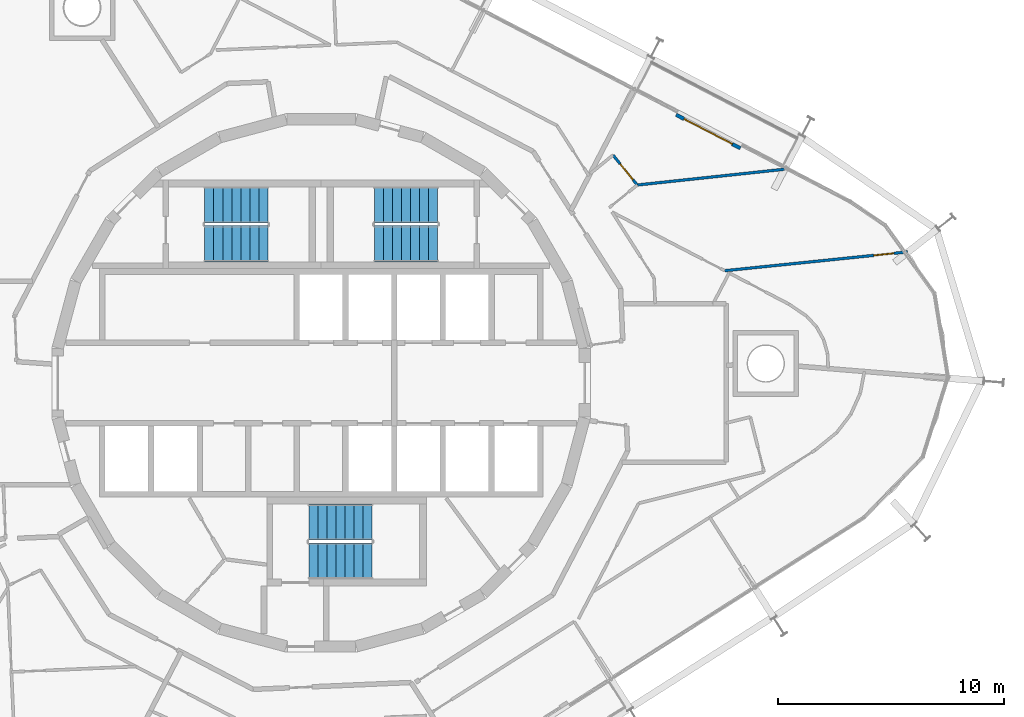
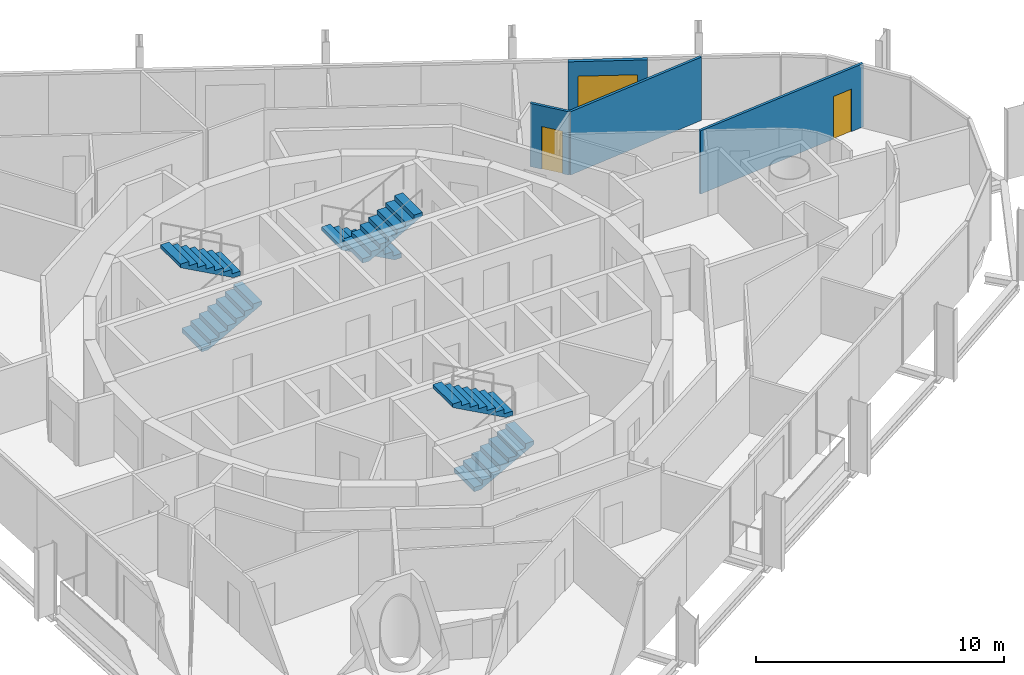
# One storey, part 17 of 18: 6 stair flights, 4 walls, 3 doors, 3 openings, 3 elements without a shape of their own.
"""IFC4 building model written with IfcOpenShell, lengths in metres."""

import ifcopenshell
import ifcopenshell.guid

model = None  # the IFC model being written
_history = None  # IfcOwnerHistory: only IFC2X3 demands one
_inside = {}  # id of a spatial element -> (the spatial element, [elements in it])
_under = {}  # id of a project, library or spatial element -> (it, [spatial elements below it])
_declared = {}  # id of a project -> (the project, [libraries it declares])
_typed = {}  # id of a type object -> (the type object, [elements of that type])
_made_of = {}  # id of a material, layer set ... -> (it, [elements and type objects made of it])


def new_model(schema):
    """Start an empty IFC model of exactly this schema.

    Asked for "IFC4X3", IfcOpenShell would pick the latest addendum, in which some entities
    have other attributes; the version numbers below select the first issue.
    IFC2X3 requires an IfcOwnerHistory on every rooted entity: one is made here for all.
    """
    global model, _history
    if schema == "IFC4X3":
        model = ifcopenshell.file(schema_version=(4, 3, 0, 0))
    else:
        model = ifcopenshell.file(schema=schema)
    _inside.clear()
    _under.clear()
    _declared.clear()
    _typed.clear()
    _made_of.clear()
    _history = None
    if model.schema == "IFC2X3":
        org = make("IfcOrganization", Name="unknown")
        user = make(
            "IfcPersonAndOrganization",
            ThePerson=make("IfcPerson", FamilyName="unknown"),
            TheOrganization=org,
        )
        app = make(
            "IfcApplication",
            ApplicationDeveloper=org,
            Version="unknown",
            ApplicationFullName="unknown",
            ApplicationIdentifier="unknown",
        )
        _history = make(
            "IfcOwnerHistory",
            OwningUser=user,
            OwningApplication=app,
            ChangeAction="ADDED",
            CreationDate=0,
        )
    return model


def make(cls, **values):
    """One entity of the class cls with the attributes given. An attribute that is None is left unset."""
    return model.create_entity(
        cls, **{name: value for name, value in values.items() if value is not None}
    )


def rooted(cls, **values):
    """An entity with a GlobalId (a new one), such as an element, a storey or a relation."""
    return make(cls, GlobalId=ifcopenshell.guid.new(), OwnerHistory=_history, **values)


def si_unit(unit_type, name, prefix=None):
    """IfcSIUnit, for example si_unit("LENGTHUNIT", "METRE", prefix="MILLI")."""
    return make("IfcSIUnit", UnitType=unit_type, Prefix=prefix, Name=name)


def assignment(units):
    """IfcUnitAssignment: the units of a project."""
    return None if units is None else make("IfcUnitAssignment", Units=units)


def point(xyz):
    """IfcCartesianPoint."""
    return None if xyz is None else make("IfcCartesianPoint", Coordinates=xyz)


def direction(xyz):
    """IfcDirection."""
    return None if xyz is None else make("IfcDirection", DirectionRatios=xyz)


def frame(location, z_axis=None, x_axis=None):
    """IfcAxis2Placement3D, a coordinate frame: its origin and axes. An axis left out is left unset."""
    return make(
        "IfcAxis2Placement3D",
        Location=point(location),
        Axis=direction(z_axis),
        RefDirection=direction(x_axis),
    )


def frame_2d(location, x_axis=None):
    """IfcAxis2Placement2D, a coordinate frame in the plane: its origin and x axis."""
    return make(
        "IfcAxis2Placement2D", Location=point(location), RefDirection=direction(x_axis)
    )


def origin():
    """The frame at (0, 0, 0) with its axes left unset."""
    return frame((0.0, 0.0, 0.0))


def place(relative_to, where):
    """IfcLocalPlacement: puts the frame where relative to a parent placement (None: the world)."""
    return make(
        "IfcLocalPlacement", PlacementRelTo=relative_to, RelativePlacement=where
    )


def context(
    kind, dimensions, precision=None, world=None, true_north=None, identifier=None
):
    """IfcGeometricRepresentationContext, for example the 3D "Model" context."""
    return make(
        "IfcGeometricRepresentationContext",
        ContextIdentifier=identifier,
        ContextType=kind,
        CoordinateSpaceDimension=dimensions,
        Precision=precision,
        WorldCoordinateSystem=world,
        TrueNorth=true_north,
    )


def subcontext(parent, identifier, kind, view, scale=None):
    """IfcGeometricRepresentationSubContext, for example "Body" below "Model"."""
    return make(
        "IfcGeometricRepresentationSubContext",
        ContextIdentifier=identifier,
        ContextType=kind,
        ParentContext=parent,
        TargetScale=scale,
        TargetView=view,
    )


def project(units=None, contexts=None):
    """IfcProject with its units and contexts."""
    return rooted(
        "IfcProject",
        Name="project",
        RepresentationContexts=contexts,
        UnitsInContext=assignment(units),
    )


def spatial(cls, under=None, at=None, **own):
    """A site, building, storey or space (cls), placed at a placement, below another one or the project."""
    s = rooted(cls, ObjectPlacement=at, **own)
    if under is not None:
        _under.setdefault(under.id(), (under, []))[1].append(s)
    return s


def polyline(points):
    """IfcPolyline through the points."""
    return make("IfcPolyline", Points=[point(p) for p in points])


def profile(cls, at=None, kind="AREA", **sizes):
    """A parametric profile (cls). Its sizes go by their IFC names, for example OverallWidth=200.0."""
    return make(cls, ProfileType=kind, Position=at, **sizes)


def rectangle(**sizes):
    """IfcRectangleProfileDef."""
    return profile("IfcRectangleProfileDef", **sizes)


def outline(outer, holes=None, kind="AREA"):
    """IfcArbitraryClosedProfileDef: a profile drawn as a closed curve; with holes, ...WithVoids."""
    if holes is None:
        return make("IfcArbitraryClosedProfileDef", ProfileType=kind, OuterCurve=outer)
    return make(
        "IfcArbitraryProfileDefWithVoids",
        ProfileType=kind,
        OuterCurve=outer,
        InnerCurves=holes,
    )


def extrude(swept, where, along, depth):
    """IfcExtrudedAreaSolid: the profile swept, set in the frame where, extruded along a direction by depth."""
    return make(
        "IfcExtrudedAreaSolid",
        SweptArea=swept,
        Position=where,
        ExtrudedDirection=direction(along),
        Depth=depth,
    )


def shape(context_of_items, identifier, shape_type, items):
    """IfcShapeRepresentation: the items that make up one representation, for example the "Body"."""
    return make(
        "IfcShapeRepresentation",
        ContextOfItems=context_of_items,
        RepresentationIdentifier=identifier,
        RepresentationType=shape_type,
        Items=items,
    )


def material(Name=None, Category=None):
    """IfcMaterial."""
    return make("IfcMaterial", Name=Name, Category=Category)


def layer(
    of_material, thickness, ventilated=None, Name=None, Category=None, Priority=None
):
    """IfcMaterialLayer: one layer of a wall or slab, of a material (None: an air gap)."""
    return make(
        "IfcMaterialLayer",
        Material=of_material,
        LayerThickness=thickness,
        IsVentilated=ventilated,
        Name=Name,
        Category=Category,
        Priority=Priority,
    )


def layer_set(layers, Name=None):
    """IfcMaterialLayerSet."""
    return make("IfcMaterialLayerSet", MaterialLayers=layers, LayerSetName=Name)


def made_of(thing, what):
    """Note that an element or type object is made of a material, layer set ...; save() writes the relation."""
    if what is not None:
        _made_of.setdefault(what.id(), (what, []))[1].append(thing)
    return thing


def type_object(cls, material=None, **own):
    """A type object (cls), such as IfcWallType, which elements share."""
    return made_of(rooted(cls, **own), material)


def element(
    cls,
    number,
    at=None,
    inside=None,
    cuts=None,
    type_object=None,
    material=None,
    context=None,
    identifier="Body",
    shape_type=None,
    held_by="IfcProductDefinitionShape",
    body=None,
    shapes=None,
    **own,
):
    """One element of the class cls, such as IfcWall. Its Tag is "e" and its number.

    at: its placement. inside: the storey or other place that contains it. cuts: it is an
    opening in that element (IfcRelVoidsElement). A single representation is given by context,
    identifier, shape_type and body (its items); several are given by shapes. held_by: the class
    of the entity that holds the representations. save() writes the other relations.
    """
    e = rooted(cls, Tag="e%d" % number, ObjectPlacement=at, **own)
    if body is not None:
        shapes = [shape(context, identifier, shape_type, body)]
    if shapes is not None:
        e.Representation = make(held_by, Representations=shapes)
    if inside is not None:
        _inside.setdefault(inside.id(), (inside, []))[1].append(e)
    if cuts is not None:
        rooted(
            "IfcRelVoidsElement", RelatingBuildingElement=cuts, RelatedOpeningElement=e
        )
    if type_object is not None:
        _typed.setdefault(type_object.id(), (type_object, []))[1].append(e)
    return made_of(e, material)


def fill(opening, filler):
    """IfcRelFillsElement: the door or window that sits in an opening."""
    return rooted(
        "IfcRelFillsElement",
        RelatingOpeningElement=opening,
        RelatedBuildingElement=filler,
    )


def aggregate(whole, parts):
    """IfcRelAggregates: a whole, such as a stair, and the parts it consists of."""
    return rooted("IfcRelAggregates", RelatingObject=whole, RelatedObjects=parts)


def save(model, path):
    """Write the relations noted so far, then the file.

    IfcRelAggregates (storeys below a building ...), IfcRelContainedInSpatialStructure (elements
    in a storey), IfcRelDefinesByType, IfcRelAssociatesMaterial and IfcRelDeclares: one each for
    every whole, place, type object, material and project.
    """
    for whole, parts in _under.values():
        aggregate(whole, parts)
    for where, things in _inside.values():
        rooted(
            "IfcRelContainedInSpatialStructure",
            RelatedElements=things,
            RelatingStructure=where,
        )
    for kind, things in _typed.values():
        rooted("IfcRelDefinesByType", RelatedObjects=things, RelatingType=kind)
    for what, things in _made_of.values():
        rooted("IfcRelAssociatesMaterial", RelatedObjects=things, RelatingMaterial=what)
    for by, libraries in _declared.values():
        rooted("IfcRelDeclares", RelatingContext=by, RelatedDefinitions=libraries)
    model.write(path)


model = new_model("IFC4")

# Units and contexts
model_context = context("Model", 3, precision=1e-05, world=origin(), true_north=direction((0.0, 1.0)))
body_context = subcontext(model_context, "Body", "Model", "MODEL_VIEW")
ifc_project = project(units=[si_unit("LENGTHUNIT", "METRE"), si_unit("AREAUNIT", "SQUARE_METRE"), si_unit("VOLUMEUNIT", "CUBIC_METRE"), si_unit("PLANEANGLEUNIT", "RADIAN"), si_unit("MASSUNIT", "GRAM", prefix="KILO")], contexts=[model_context])

# Site, building, storey
site_placement = place(None, origin())
site = spatial("IfcSite", under=ifc_project, at=site_placement, CompositionType="ELEMENT")
building_placement = place(site_placement, origin())
building = spatial("IfcBuilding", under=site, at=building_placement, Name="Spindle Arch Residences", CompositionType="ELEMENT")
storey_placement = place(building_placement, frame((0.0, 0.0, 251.199951171875)))
storey = spatial("IfcBuildingStorey", under=building, at=storey_placement, Name="L64", CompositionType="ELEMENT", Elevation=251.199951171875)

# Wall, opening, door
ifc_material_1 = material(Name="Plasterboard on steel studs", Category="steel")
ifc_layer_1 = layer(ifc_material_1, 0.1201171875)
ifc_layer_set_1 = layer_set([ifc_layer_1], Name="Flat partition 120")
wall_type_1 = type_object("IfcWallType", Name="Flat partition 120", PredefinedType="PARTITIONING", material=ifc_layer_set_1)
wall_1_placement = place(storey_placement, frame((13.968505859375, 8.747314453125, 0.0), z_axis=(0.0, 0.0, 1.0), x_axis=(-0.629359312443, 0.777114441921, 0.0)))
wall_1 = element("IfcWall", 1, at=wall_1_placement, inside=storey, type_object=wall_type_1, Name="Flat partition R6C1-W044", PredefinedType="PARTITIONING", context=body_context, shape_type="SweptSolid", body=[
    extrude(rectangle(XDim=1.7001953125, YDim=0.1201171875, at=frame_2d((0.85009765625, 0.0))), origin(), (0.0, 0.0, 1.0), 3.1201171875),
])
opening_1_placement = place(wall_1_placement, frame((0.300048828125, 0.0, 0.0)))
opening_1 = element("IfcOpeningElement", 2, at=opening_1_placement, cuts=wall_1, Name="Opening R6C1-ID03", PredefinedType="OPENING", context=body_context, shape_type="SweptSolid", body=[
    extrude(rectangle(XDim=0.89990234375, YDim=2.10009765625, at=frame_2d((0.449951171875, 1.050048828125))), frame((0.0, 0.070068359375, 0.0), z_axis=(0.0, -1.0, 0.0), x_axis=(1.0, 0.0, 0.0)), (0.0, 0.0, 1.0), 0.14013671875),
])
ifc_material_2 = material(Name="Timber door set", Category="wood")
door_type_1 = type_object("IfcDoorType", Name="Room door 900x2100", OperationType="NOTDEFINED", PredefinedType="DOOR", material=ifc_material_2)
door_1_placement = place(opening_1_placement, origin())
door_1 = element("IfcDoor", 3, at=door_1_placement, inside=storey, type_object=door_type_1, Name="Room door R6C1-ID03", OperationType="SINGLE_SWING_LEFT", OverallHeight=2.10009765625, OverallWidth=0.89990234375, PredefinedType="DOOR", context=body_context, shape_type="SweptSolid", body=[
    extrude(rectangle(XDim=0.89990234375, YDim=2.10009765625, at=frame_2d((0.449951171875, 1.050048828125))), frame((0.0, 0.02490234375, 0.0), z_axis=(0.0, -1.0, 0.0), x_axis=(1.0, 0.0, 0.0)), (0.0, 0.0, 1.0), 0.050048828125),
])
fill(opening_1, door_1)

wall_2_placement = place(storey_placement, frame((25.907958984375, 5.7900390625, 0.0), z_axis=(0.0, 0.0, 1.0), x_axis=(-0.994752982456, -0.102305932847, 0.0)))
wall_2 = element("IfcWall", 4, at=wall_2_placement, inside=storey, type_object=wall_type_1, Name="Flat partition R6C1-W052", PredefinedType="PARTITIONING", context=body_context, shape_type="SweptSolid", body=[
    extrude(rectangle(XDim=8.115966796875, YDim=0.1201171875, at=frame_2d((4.05810546875, 0.0))), origin(), (0.0, 0.0, 1.0), 3.1201171875),
])
opening_2_placement = place(wall_2_placement, frame((0.60009765625, 0.0, 0.0)))
opening_2 = element("IfcOpeningElement", 5, at=opening_2_placement, cuts=wall_2, Name="Opening R6C1-ID04", PredefinedType="OPENING", context=body_context, shape_type="SweptSolid", body=[
    extrude(rectangle(XDim=0.89990234375, YDim=2.10009765625, at=frame_2d((0.449951171875, 1.050048828125))), frame((0.0, 0.070068359375, 0.0), z_axis=(0.0, -1.0, 0.0), x_axis=(1.0, 0.0, 0.0)), (0.0, 0.0, 1.0), 0.14013671875),
])
door_2_placement = place(opening_2_placement, origin())
door_2 = element("IfcDoor", 6, at=door_2_placement, inside=storey, type_object=door_type_1, Name="Room door R6C1-ID04", OperationType="SINGLE_SWING_LEFT", OverallHeight=2.10009765625, OverallWidth=0.89990234375, PredefinedType="DOOR", context=body_context, shape_type="SweptSolid", body=[
    extrude(rectangle(XDim=0.89990234375, YDim=2.10009765625, at=frame_2d((0.449951171875, 1.050048828125))), frame((0.0, 0.02490234375, 0.0), z_axis=(0.0, -1.0, 0.0), x_axis=(1.0, 0.0, 0.0)), (0.0, 0.0, 1.0), 0.050048828125),
])
fill(opening_2, door_2)

# Wall
wall_3_placement = place(storey_placement, frame((20.480224609375, 9.44482421875, 0.0), z_axis=(0.0, 0.0, 1.0), x_axis=(-0.994311974195, -0.106506797776, 0.0)))
element("IfcWall", 7, at=wall_3_placement, inside=storey, type_object=wall_type_1, Name="Flat partition R6C1-W055", PredefinedType="PARTITIONING", context=body_context, shape_type="SweptSolid", body=[
    extrude(rectangle(XDim=6.549072265625, YDim=0.1201171875, at=frame_2d((3.2744140625, 0.0))), origin(), (0.0, 0.0, 1.0), 3.1201171875),
])

# Wall, opening, door
ifc_material_3 = material(Name="Non-combustible mineral wool insulated aluminium faced external wall (K0)", Category="aluminium")
ifc_layer_2 = layer(ifc_material_3, 0.159912109375)
ifc_layer_set_2 = layer_set([ifc_layer_2], Name="Insulated external wall panel 160")
wall_type_2 = type_object("IfcWallType", Name="Insulated external wall panel 160", PredefinedType="STANDARD", material=ifc_layer_set_2)
wall_4_placement = place(storey_placement, frame((18.52294921875, 10.37353515625, 0.0), z_axis=(0.0, 0.0, 1.0), x_axis=(-0.887014349583, 0.461741858221, 0.0)))
wall_4 = element("IfcWall", 8, at=wall_4_placement, inside=storey, type_object=wall_type_2, Name="External wall L64 bay 6", PredefinedType="STANDARD", context=body_context, shape_type="SweptSolid", body=[
    extrude(rectangle(XDim=3.199951171875, YDim=0.159912109375, at=frame_2d((1.60009765625, 0.0))), origin(), (0.0, 0.0, 1.0), 3.1201171875),
])
opening_3_placement = place(wall_4_placement, frame((0.39990234375, 0.0, 0.0)))
opening_3 = element("IfcOpeningElement", 9, at=opening_3_placement, cuts=wall_4, Name="Opening BD06", PredefinedType="OPENING", context=body_context, shape_type="SweptSolid", body=[
    extrude(rectangle(XDim=2.39990234375, YDim=2.39990234375, at=frame_2d((1.199951171875, 1.199951171875))), frame((0.0, 0.08984375, 0.0), z_axis=(0.0, -1.0, 0.0), x_axis=(1.0, 0.0, 0.0)), (0.0, 0.0, 1.0), 0.179931640625),
])
ifc_material_4 = material(Name="Bronze aluminium frame, tinted double glazing", Category="aluminium")
door_type_2 = type_object("IfcDoorType", Name="Sliding glazed balcony door 2400x2400", OperationType="DOUBLE_DOOR_SLIDING", PredefinedType="DOOR", material=ifc_material_4)
door_3_placement = place(opening_3_placement, origin())
door_3 = element("IfcDoor", 10, at=door_3_placement, inside=storey, type_object=door_type_2, Name="Balcony door BD06", OperationType="DOUBLE_DOOR_SLIDING", OverallHeight=2.39990234375, OverallWidth=2.39990234375, PredefinedType="DOOR", context=body_context, shape_type="SweptSolid", body=[
    extrude(rectangle(XDim=2.39990234375, YDim=2.39990234375, at=frame_2d((1.199951171875, 1.199951171875))), frame((0.0, 0.02490234375, 0.0), z_axis=(0.0, -1.0, 0.0), x_axis=(1.0, 0.0, 0.0)), (0.0, 0.0, 1.0), 0.050048828125),
])
fill(opening_3, door_3)

# Stair, stair flights
ifc_material_5 = material(Name="Concrete C50/60", Category="concrete")
stair_type = type_object("IfcStairType", Name="Exit stair 16 risers", PredefinedType="HALF_TURN_STAIR", material=ifc_material_5)
stair_1_placement = place(storey_placement, origin())
stair_1 = element("IfcStair", 11, at=stair_1_placement, inside=storey, type_object=stair_type, Name="L64 Exit stair ST1", PredefinedType="HALF_TURN_STAIR")
ifc_material_6 = material(Name="Concrete C50/60", Category="concrete")
stair_flight_type = type_object("IfcStairFlightType", Name="Exit stair flight", PredefinedType="STRAIGHT", material=ifc_material_6)
stair_flight_1_placement = place(storey_placement, frame((5.14990234375, 7.8701171875, 0.0), z_axis=(0.0, 0.0, 1.0), x_axis=(-1.0, 0.0, 0.0)))
stair_flight_1 = element("IfcStairFlight", 12, at=stair_flight_1_placement, type_object=stair_flight_type, Name="ST1 flight 1", NumberOfRisers=8, NumberOfTreads=7, PredefinedType="STRAIGHT", RiserHeight=0.21875, TreadLength=0.4, context=body_context, shape_type="SweptSolid", body=[
    extrude(outline(polyline([(0.0, 0.0), (0.0, 0.21875), (0.39990234375, 0.21875), (0.39990234375, 0.4375), (0.800048828125, 0.4375), (0.800048828125, 0.65625), (1.199951171875, 0.65625), (1.199951171875, 0.875), (1.60009765625, 0.875), (1.60009765625, 1.09375), (2.0, 1.09375), (2.0, 1.3125), (2.39990234375, 1.3125), (2.39990234375, 1.53125), (2.800048828125, 1.53125), (2.800048828125, 1.75), (2.800048828125, 1.3603515625), (0.3125, 0.0), (0.0, 0.0)])), frame((0.0, 0.800048828125, 0.0), z_axis=(0.0, -1.0, 0.0), x_axis=(1.0, 0.0, 0.0)), (0.0, 0.0, 1.0), 1.60009765625),
])
stair_flight_2_placement = place(storey_placement, frame((2.35009765625, 6.14990234375, 1.75), z_axis=(0.0, 0.0, 1.0), x_axis=(1.0, 0.0, 0.0)))
stair_flight_2 = element("IfcStairFlight", 13, at=stair_flight_2_placement, type_object=stair_flight_type, Name="ST1 flight 2", NumberOfRisers=8, NumberOfTreads=7, PredefinedType="STRAIGHT", RiserHeight=0.21875, TreadLength=0.4, context=body_context, shape_type="SweptSolid", body=[
    extrude(outline(polyline([(0.0, 0.0), (0.0, 0.21875), (0.39990234375, 0.21875), (0.39990234375, 0.4375), (0.800048828125, 0.4375), (0.800048828125, 0.65625), (1.199951171875, 0.65625), (1.199951171875, 0.875), (1.60009765625, 0.875), (1.60009765625, 1.09375), (2.0, 1.09375), (2.0, 1.3125), (2.39990234375, 1.3125), (2.39990234375, 1.53125), (2.800048828125, 1.53125), (2.800048828125, 1.75), (2.800048828125, 1.3603515625), (0.3125, 0.0), (0.0, 0.0)])), frame((0.0, 0.800048828125, 0.0), z_axis=(0.0, -1.0, 0.0), x_axis=(1.0, 0.0, 0.0)), (0.0, 0.0, 1.0), 1.60009765625),
])
aggregate(stair_1, [stair_flight_1, stair_flight_2])

stair_2_placement = place(storey_placement, origin())
stair_2 = element("IfcStair", 14, at=stair_2_placement, inside=storey, type_object=stair_type, Name="L64 Exit stair ST2", PredefinedType="HALF_TURN_STAIR")
stair_flight_3_placement = place(storey_placement, frame((-5.14990234375, 6.14990234375, 0.0), z_axis=(0.0, 0.0, 1.0), x_axis=(1.0, 0.0, 0.0)))
stair_flight_3 = element("IfcStairFlight", 15, at=stair_flight_3_placement, type_object=stair_flight_type, Name="ST2 flight 1", NumberOfRisers=8, NumberOfTreads=7, PredefinedType="STRAIGHT", RiserHeight=0.21875, TreadLength=0.4, context=body_context, shape_type="SweptSolid", body=[
    extrude(outline(polyline([(0.0, 0.0), (0.0, 0.21875), (0.39990234375, 0.21875), (0.39990234375, 0.4375), (0.800048828125, 0.4375), (0.800048828125, 0.65625), (1.199951171875, 0.65625), (1.199951171875, 0.875), (1.60009765625, 0.875), (1.60009765625, 1.09375), (2.0, 1.09375), (2.0, 1.3125), (2.39990234375, 1.3125), (2.39990234375, 1.53125), (2.800048828125, 1.53125), (2.800048828125, 1.75), (2.800048828125, 1.3603515625), (0.3125, 0.0), (0.0, 0.0)])), frame((0.0, 0.800048828125, 0.0), z_axis=(0.0, -1.0, 0.0), x_axis=(1.0, 0.0, 0.0)), (0.0, 0.0, 1.0), 1.60009765625),
])
stair_flight_4_placement = place(storey_placement, frame((-2.35009765625, 7.8701171875, 1.75), z_axis=(0.0, 0.0, 1.0), x_axis=(-1.0, 0.0, 0.0)))
stair_flight_4 = element("IfcStairFlight", 16, at=stair_flight_4_placement, type_object=stair_flight_type, Name="ST2 flight 2", NumberOfRisers=8, NumberOfTreads=7, PredefinedType="STRAIGHT", RiserHeight=0.21875, TreadLength=0.4, context=body_context, shape_type="SweptSolid", body=[
    extrude(outline(polyline([(0.0, 0.0), (0.0, 0.21875), (0.39990234375, 0.21875), (0.39990234375, 0.4375), (0.800048828125, 0.4375), (0.800048828125, 0.65625), (1.199951171875, 0.65625), (1.199951171875, 0.875), (1.60009765625, 0.875), (1.60009765625, 1.09375), (2.0, 1.09375), (2.0, 1.3125), (2.39990234375, 1.3125), (2.39990234375, 1.53125), (2.800048828125, 1.53125), (2.800048828125, 1.75), (2.800048828125, 1.3603515625), (0.3125, 0.0), (0.0, 0.0)])), frame((0.0, 0.800048828125, 0.0), z_axis=(0.0, -1.0, 0.0), x_axis=(1.0, 0.0, 0.0)), (0.0, 0.0, 1.0), 1.60009765625),
])
aggregate(stair_2, [stair_flight_3, stair_flight_4])

stair_3_placement = place(storey_placement, origin())
stair_3 = element("IfcStair", 17, at=stair_3_placement, inside=storey, type_object=stair_type, Name="L64 Exit stair ST3", PredefinedType="HALF_TURN_STAIR")
stair_flight_5_placement = place(storey_placement, frame((-0.550048828125, -7.8701171875, 0.0), z_axis=(0.0, 0.0, 1.0), x_axis=(1.0, 0.0, 0.0)))
stair_flight_5 = element("IfcStairFlight", 18, at=stair_flight_5_placement, type_object=stair_flight_type, Name="ST3 flight 1", NumberOfRisers=8, NumberOfTreads=7, PredefinedType="STRAIGHT", RiserHeight=0.21875, TreadLength=0.4, context=body_context, shape_type="SweptSolid", body=[
    extrude(outline(polyline([(0.0, 0.0), (0.0, 0.21875), (0.39990234375, 0.21875), (0.39990234375, 0.4375), (0.800048828125, 0.4375), (0.800048828125, 0.65625), (1.199951171875, 0.65625), (1.199951171875, 0.875), (1.60009765625, 0.875), (1.60009765625, 1.09375), (2.0, 1.09375), (2.0, 1.3125), (2.39990234375, 1.3125), (2.39990234375, 1.53125), (2.800048828125, 1.53125), (2.800048828125, 1.75), (2.800048828125, 1.3603515625), (0.3125, 0.0), (0.0, 0.0)])), frame((0.0, 0.800048828125, 0.0), z_axis=(0.0, -1.0, 0.0), x_axis=(1.0, 0.0, 0.0)), (0.0, 0.0, 1.0), 1.60009765625),
])
stair_flight_6_placement = place(storey_placement, frame((2.25, -6.14990234375, 1.75), z_axis=(0.0, 0.0, 1.0), x_axis=(-1.0, 0.0, 0.0)))
stair_flight_6 = element("IfcStairFlight", 19, at=stair_flight_6_placement, type_object=stair_flight_type, Name="ST3 flight 2", NumberOfRisers=8, NumberOfTreads=7, PredefinedType="STRAIGHT", RiserHeight=0.21875, TreadLength=0.4, context=body_context, shape_type="SweptSolid", body=[
    extrude(outline(polyline([(0.0, 0.0), (0.0, 0.21875), (0.39990234375, 0.21875), (0.39990234375, 0.4375), (0.800048828125, 0.4375), (0.800048828125, 0.65625), (1.199951171875, 0.65625), (1.199951171875, 0.875), (1.60009765625, 0.875), (1.60009765625, 1.09375), (2.0, 1.09375), (2.0, 1.3125), (2.39990234375, 1.3125), (2.39990234375, 1.53125), (2.800048828125, 1.53125), (2.800048828125, 1.75), (2.800048828125, 1.3603515625), (0.3125, 0.0), (0.0, 0.0)])), frame((0.0, 0.800048828125, 0.0), z_axis=(0.0, -1.0, 0.0), x_axis=(1.0, 0.0, 0.0)), (0.0, 0.0, 1.0), 1.60009765625),
])
aggregate(stair_3, [stair_flight_5, stair_flight_6])

save(model, "model.ifc")
